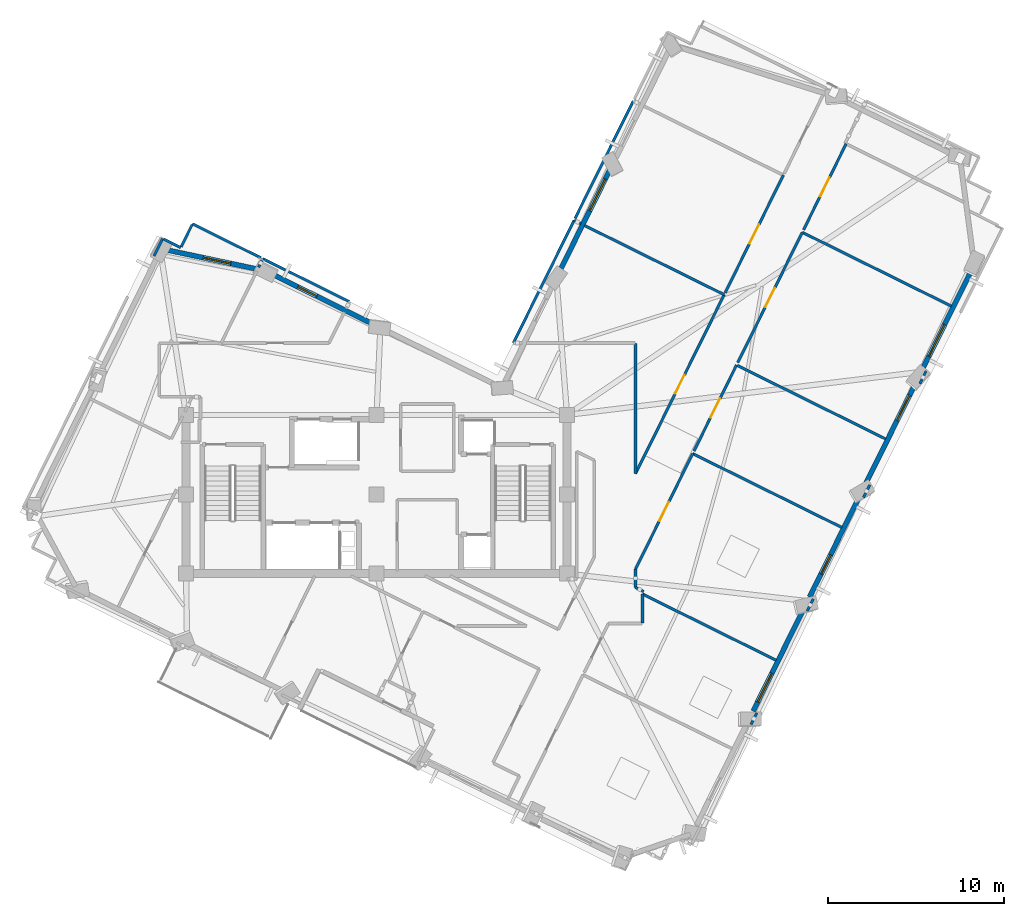
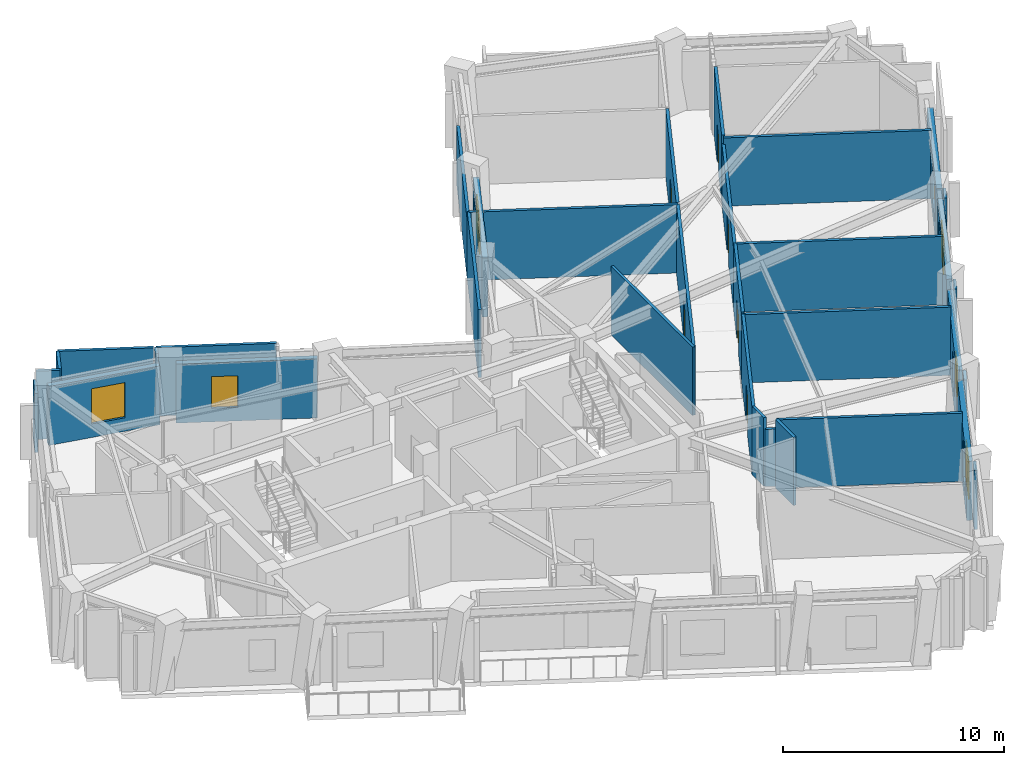
# One storey, part 6 of 11: 35 walls, 7 windows, 6 doors, 13 openings.
"""IFC4 building model written with IfcOpenShell, lengths in metres."""

import ifcopenshell
import ifcopenshell.guid

model = None  # the IFC model being written
_history = None  # IfcOwnerHistory: only IFC2X3 demands one
_inside = {}  # id of a spatial element -> (the spatial element, [elements in it])
_under = {}  # id of a project, library or spatial element -> (it, [spatial elements below it])
_declared = {}  # id of a project -> (the project, [libraries it declares])
_typed = {}  # id of a type object -> (the type object, [elements of that type])
_made_of = {}  # id of a material, layer set ... -> (it, [elements and type objects made of it])


def new_model(schema):
    """Start an empty IFC model of exactly this schema.

    Asked for "IFC4X3", IfcOpenShell would pick the latest addendum, in which some entities
    have other attributes; the version numbers below select the first issue.
    IFC2X3 requires an IfcOwnerHistory on every rooted entity: one is made here for all.
    """
    global model, _history
    if schema == "IFC4X3":
        model = ifcopenshell.file(schema_version=(4, 3, 0, 0))
    else:
        model = ifcopenshell.file(schema=schema)
    _inside.clear()
    _under.clear()
    _declared.clear()
    _typed.clear()
    _made_of.clear()
    _history = None
    if model.schema == "IFC2X3":
        org = make("IfcOrganization", Name="unknown")
        user = make(
            "IfcPersonAndOrganization",
            ThePerson=make("IfcPerson", FamilyName="unknown"),
            TheOrganization=org,
        )
        app = make(
            "IfcApplication",
            ApplicationDeveloper=org,
            Version="unknown",
            ApplicationFullName="unknown",
            ApplicationIdentifier="unknown",
        )
        _history = make(
            "IfcOwnerHistory",
            OwningUser=user,
            OwningApplication=app,
            ChangeAction="ADDED",
            CreationDate=0,
        )
    return model


def make(cls, **values):
    """One entity of the class cls with the attributes given. An attribute that is None is left unset."""
    return model.create_entity(
        cls, **{name: value for name, value in values.items() if value is not None}
    )


def rooted(cls, **values):
    """An entity with a GlobalId (a new one), such as an element, a storey or a relation."""
    return make(cls, GlobalId=ifcopenshell.guid.new(), OwnerHistory=_history, **values)


def si_unit(unit_type, name, prefix=None):
    """IfcSIUnit, for example si_unit("LENGTHUNIT", "METRE", prefix="MILLI")."""
    return make("IfcSIUnit", UnitType=unit_type, Prefix=prefix, Name=name)


def assignment(units):
    """IfcUnitAssignment: the units of a project."""
    return None if units is None else make("IfcUnitAssignment", Units=units)


def point(xyz):
    """IfcCartesianPoint."""
    return None if xyz is None else make("IfcCartesianPoint", Coordinates=xyz)


def direction(xyz):
    """IfcDirection."""
    return None if xyz is None else make("IfcDirection", DirectionRatios=xyz)


def frame(location, z_axis=None, x_axis=None):
    """IfcAxis2Placement3D, a coordinate frame: its origin and axes. An axis left out is left unset."""
    return make(
        "IfcAxis2Placement3D",
        Location=point(location),
        Axis=direction(z_axis),
        RefDirection=direction(x_axis),
    )


def frame_2d(location, x_axis=None):
    """IfcAxis2Placement2D, a coordinate frame in the plane: its origin and x axis."""
    return make(
        "IfcAxis2Placement2D", Location=point(location), RefDirection=direction(x_axis)
    )


def origin():
    """The frame at (0, 0, 0) with its axes left unset."""
    return frame((0.0, 0.0, 0.0))


def place(relative_to, where):
    """IfcLocalPlacement: puts the frame where relative to a parent placement (None: the world)."""
    return make(
        "IfcLocalPlacement", PlacementRelTo=relative_to, RelativePlacement=where
    )


def context(
    kind, dimensions, precision=None, world=None, true_north=None, identifier=None
):
    """IfcGeometricRepresentationContext, for example the 3D "Model" context."""
    return make(
        "IfcGeometricRepresentationContext",
        ContextIdentifier=identifier,
        ContextType=kind,
        CoordinateSpaceDimension=dimensions,
        Precision=precision,
        WorldCoordinateSystem=world,
        TrueNorth=true_north,
    )


def subcontext(parent, identifier, kind, view, scale=None):
    """IfcGeometricRepresentationSubContext, for example "Body" below "Model"."""
    return make(
        "IfcGeometricRepresentationSubContext",
        ContextIdentifier=identifier,
        ContextType=kind,
        ParentContext=parent,
        TargetScale=scale,
        TargetView=view,
    )


def project(units=None, contexts=None):
    """IfcProject with its units and contexts."""
    return rooted(
        "IfcProject",
        Name="project",
        RepresentationContexts=contexts,
        UnitsInContext=assignment(units),
    )


def spatial(cls, under=None, at=None, **own):
    """A site, building, storey or space (cls), placed at a placement, below another one or the project."""
    s = rooted(cls, ObjectPlacement=at, **own)
    if under is not None:
        _under.setdefault(under.id(), (under, []))[1].append(s)
    return s


def profile(cls, at=None, kind="AREA", **sizes):
    """A parametric profile (cls). Its sizes go by their IFC names, for example OverallWidth=200.0."""
    return make(cls, ProfileType=kind, Position=at, **sizes)


def rectangle(**sizes):
    """IfcRectangleProfileDef."""
    return profile("IfcRectangleProfileDef", **sizes)


def extrude(swept, where, along, depth):
    """IfcExtrudedAreaSolid: the profile swept, set in the frame where, extruded along a direction by depth."""
    return make(
        "IfcExtrudedAreaSolid",
        SweptArea=swept,
        Position=where,
        ExtrudedDirection=direction(along),
        Depth=depth,
    )


def shape(context_of_items, identifier, shape_type, items):
    """IfcShapeRepresentation: the items that make up one representation, for example the "Body"."""
    return make(
        "IfcShapeRepresentation",
        ContextOfItems=context_of_items,
        RepresentationIdentifier=identifier,
        RepresentationType=shape_type,
        Items=items,
    )


def material(Name=None, Category=None):
    """IfcMaterial."""
    return make("IfcMaterial", Name=Name, Category=Category)


def layer(
    of_material, thickness, ventilated=None, Name=None, Category=None, Priority=None
):
    """IfcMaterialLayer: one layer of a wall or slab, of a material (None: an air gap)."""
    return make(
        "IfcMaterialLayer",
        Material=of_material,
        LayerThickness=thickness,
        IsVentilated=ventilated,
        Name=Name,
        Category=Category,
        Priority=Priority,
    )


def layer_set(layers, Name=None):
    """IfcMaterialLayerSet."""
    return make("IfcMaterialLayerSet", MaterialLayers=layers, LayerSetName=Name)


def made_of(thing, what):
    """Note that an element or type object is made of a material, layer set ...; save() writes the relation."""
    if what is not None:
        _made_of.setdefault(what.id(), (what, []))[1].append(thing)
    return thing


def type_object(cls, material=None, **own):
    """A type object (cls), such as IfcWallType, which elements share."""
    return made_of(rooted(cls, **own), material)


def element(
    cls,
    number,
    at=None,
    inside=None,
    cuts=None,
    type_object=None,
    material=None,
    context=None,
    identifier="Body",
    shape_type=None,
    held_by="IfcProductDefinitionShape",
    body=None,
    shapes=None,
    **own,
):
    """One element of the class cls, such as IfcWall. Its Tag is "e" and its number.

    at: its placement. inside: the storey or other place that contains it. cuts: it is an
    opening in that element (IfcRelVoidsElement). A single representation is given by context,
    identifier, shape_type and body (its items); several are given by shapes. held_by: the class
    of the entity that holds the representations. save() writes the other relations.
    """
    e = rooted(cls, Tag="e%d" % number, ObjectPlacement=at, **own)
    if body is not None:
        shapes = [shape(context, identifier, shape_type, body)]
    if shapes is not None:
        e.Representation = make(held_by, Representations=shapes)
    if inside is not None:
        _inside.setdefault(inside.id(), (inside, []))[1].append(e)
    if cuts is not None:
        rooted(
            "IfcRelVoidsElement", RelatingBuildingElement=cuts, RelatedOpeningElement=e
        )
    if type_object is not None:
        _typed.setdefault(type_object.id(), (type_object, []))[1].append(e)
    return made_of(e, material)


def fill(opening, filler):
    """IfcRelFillsElement: the door or window that sits in an opening."""
    return rooted(
        "IfcRelFillsElement",
        RelatingOpeningElement=opening,
        RelatedBuildingElement=filler,
    )


def aggregate(whole, parts):
    """IfcRelAggregates: a whole, such as a stair, and the parts it consists of."""
    return rooted("IfcRelAggregates", RelatingObject=whole, RelatedObjects=parts)


def save(model, path):
    """Write the relations noted so far, then the file.

    IfcRelAggregates (storeys below a building ...), IfcRelContainedInSpatialStructure (elements
    in a storey), IfcRelDefinesByType, IfcRelAssociatesMaterial and IfcRelDeclares: one each for
    every whole, place, type object, material and project.
    """
    for whole, parts in _under.values():
        aggregate(whole, parts)
    for where, things in _inside.values():
        rooted(
            "IfcRelContainedInSpatialStructure",
            RelatedElements=things,
            RelatingStructure=where,
        )
    for kind, things in _typed.values():
        rooted("IfcRelDefinesByType", RelatedObjects=things, RelatingType=kind)
    for what, things in _made_of.values():
        rooted("IfcRelAssociatesMaterial", RelatedObjects=things, RelatingMaterial=what)
    for by, libraries in _declared.values():
        rooted("IfcRelDeclares", RelatingContext=by, RelatedDefinitions=libraries)
    model.write(path)


model = new_model("IFC4")

# Units and contexts
model_context = context("Model", 3, precision=1e-05, world=origin(), true_north=direction((0.0, 1.0)))
body_context = subcontext(model_context, "Body", "Model", "MODEL_VIEW")
ifc_project = project(units=[si_unit("LENGTHUNIT", "METRE"), si_unit("AREAUNIT", "SQUARE_METRE"), si_unit("VOLUMEUNIT", "CUBIC_METRE"), si_unit("PLANEANGLEUNIT", "RADIAN"), si_unit("MASSUNIT", "GRAM", prefix="KILO")], contexts=[model_context])

# Site, building, storey
site_placement = place(None, origin())
site = spatial("IfcSite", under=ifc_project, at=site_placement, CompositionType="ELEMENT")
building_placement = place(site_placement, origin())
building = spatial("IfcBuilding", under=site, at=building_placement, Name="Gaonmaruhae Medical Tower", CompositionType="ELEMENT")
storey_placement = place(building_placement, frame((0.0, 0.0, 296.60009765625)))
storey = spatial("IfcBuildingStorey", under=building, at=storey_placement, Name="L71", CompositionType="ELEMENT", Elevation=296.60009765625)

# Wall, opening, window
ifc_material_1 = material(Name="Precast concrete C45/55", Category="concrete")
ifc_layer_1 = layer(ifc_material_1, 0.280029296875)
ifc_layer_set_1 = layer_set([ifc_layer_1], Name="Precast concrete C45/55")
wall_type_1 = type_object("IfcWallType", Name="EW-280 Upper Precast Masonry-Frame Facade Wall", PredefinedType="SOLIDWALL", material=ifc_layer_set_1)
wall_1_placement = place(storey_placement, frame((49.009033203125, 5.780517578125, 0.0), z_axis=(0.0, 0.0, 1.0), x_axis=(-0.443828128094, -0.896111930906, 0.0)))
wall_1 = element("IfcWall", 1, at=wall_1_placement, inside=storey, type_object=wall_type_1, Name="L71 Precast Masonry-Frame Wall S02-S03", PredefinedType="SOLIDWALL", context=body_context, shape_type="SweptSolid", body=[
    extrude(rectangle(XDim=6.438720703125, YDim=0.280029296875, at=frame_2d((3.21923828125, 0.0))), origin(), (0.0, 0.0, 1.0), 3.264892578125),
])
opening_1_placement = place(wall_1_placement, frame((4.0576171875, 0.0, 0.75)))
opening_1 = element("IfcOpeningElement", 2, at=opening_1_placement, cuts=wall_1, Name="Opening WN-04", PredefinedType="OPENING", context=body_context, shape_type="SweptSolid", body=[
    extrude(rectangle(XDim=1.800048828125, YDim=2.050048828125, at=frame_2d((0.89990234375, 1.02490234375))), frame((0.0, 0.14990234375, 0.0), z_axis=(0.0, -1.0, 0.0), x_axis=(1.0, 0.0, 0.0)), (0.0, 0.0, 1.0), 0.300048828125),
])
ifc_material_2 = material(Name="Anodised aluminium and Low-E double glazing", Category="aluminium")
window_type_1 = type_object("IfcWindowType", Name="WN-04 Clinic & Consult Punched Window 1800x2050", PartitioningType="SINGLE_PANEL", PredefinedType="WINDOW", material=ifc_material_2)
window_1_placement = place(opening_1_placement, origin())
window_1 = element("IfcWindow", 3, at=window_1_placement, inside=storey, type_object=window_type_1, Name="L71 Modular Facade Window S02", OverallHeight=2.050048828125, OverallWidth=1.800048828125, PartitioningType="SINGLE_PANEL", PredefinedType="WINDOW", context=body_context, shape_type="SweptSolid", body=[
    extrude(rectangle(XDim=1.800048828125, YDim=2.050048828125, at=frame_2d((0.89990234375, 1.02490234375))), frame((0.0, 0.030029296875, 0.0), z_axis=(0.0, -1.0, 0.0), x_axis=(1.0, 0.0, 0.0)), (0.0, 0.0, 1.0), 0.06005859375),
])
fill(opening_1, window_1)

wall_2_placement = place(storey_placement, frame((52.201171875, 12.224853515625, 0.0), z_axis=(0.0, 0.0, 1.0), x_axis=(-0.443860567831, -0.896095863357, 0.0)))
wall_2 = element("IfcWall", 4, at=wall_2_placement, inside=storey, type_object=wall_type_1, Name="L71 Precast Masonry-Frame Wall S03-S04", PredefinedType="SOLIDWALL", context=body_context, shape_type="SweptSolid", body=[
    extrude(rectangle(XDim=6.41357421875, YDim=0.280029296875, at=frame_2d((3.206787109375, 0.0))), origin(), (0.0, 0.0, 1.0), 3.264892578125),
])
opening_2_placement = place(wall_2_placement, frame((3.74560546875, 0.0, 0.75)))
opening_2 = element("IfcOpeningElement", 5, at=opening_2_placement, cuts=wall_2, Name="Opening WN-05", PredefinedType="OPENING", context=body_context, shape_type="SweptSolid", body=[
    extrude(rectangle(XDim=1.199951171875, YDim=1.75, at=frame_2d((0.60009765625, 0.875))), frame((0.0, 0.14990234375, 0.0), z_axis=(0.0, -1.0, 0.0), x_axis=(1.0, 0.0, 0.0)), (0.0, 0.0, 1.0), 0.300048828125),
])
window_type_2 = type_object("IfcWindowType", Name="WN-05 Support & Staff Punched Window 1200x1750", PartitioningType="SINGLE_PANEL", PredefinedType="WINDOW", material=ifc_material_2)
window_2_placement = place(opening_2_placement, origin())
window_2 = element("IfcWindow", 6, at=window_2_placement, inside=storey, type_object=window_type_2, Name="L71 Modular Facade Window S03", OverallHeight=1.75, OverallWidth=1.199951171875, PartitioningType="SINGLE_PANEL", PredefinedType="WINDOW", context=body_context, shape_type="SweptSolid", body=[
    extrude(rectangle(XDim=1.199951171875, YDim=1.75, at=frame_2d((0.60009765625, 0.875))), frame((0.0, 0.030029296875, 0.0), z_axis=(0.0, -1.0, 0.0), x_axis=(1.0, 0.0, 0.0)), (0.0, 0.0, 1.0), 0.06005859375),
])
fill(opening_2, window_2)

wall_3_placement = place(storey_placement, frame((55.397216796875, 18.677490234375, 0.0), z_axis=(0.0, 0.0, 1.0), x_axis=(-0.443826536777, -0.896112719055, 0.0)))
wall_3 = element("IfcWall", 7, at=wall_3_placement, inside=storey, type_object=wall_type_1, Name="L71 Precast Masonry-Frame Wall S04-S05", PredefinedType="SOLIDWALL", context=body_context, shape_type="SweptSolid", body=[
    extrude(rectangle(XDim=6.40673828125, YDim=0.280029296875, at=frame_2d((3.203369140625, 0.0))), origin(), (0.0, 0.0, 1.0), 3.264892578125),
])
opening_3_placement = place(wall_3_placement, frame((0.852294921875, 0.0, 0.75)))
opening_3 = element("IfcOpeningElement", 8, at=opening_3_placement, cuts=wall_3, Name="Opening WN-01", PredefinedType="OPENING", context=body_context, shape_type="SweptSolid", body=[
    extrude(rectangle(XDim=1.60009765625, YDim=1.949951171875, at=frame_2d((0.800048828125, 0.97509765625))), frame((0.0, 0.14990234375, 0.0), z_axis=(0.0, -1.0, 0.0), x_axis=(1.0, 0.0, 0.0)), (0.0, 0.0, 1.0), 0.300048828125),
])
window_type_3 = type_object("IfcWindowType", Name="WN-01 Ward Punched Acoustic Window 1600x1950", PartitioningType="SINGLE_PANEL", PredefinedType="WINDOW", material=ifc_material_2)
window_3_placement = place(opening_3_placement, origin())
window_3 = element("IfcWindow", 9, at=window_3_placement, inside=storey, type_object=window_type_3, Name="L71 Modular Facade Window S04", OverallHeight=1.949951171875, OverallWidth=1.60009765625, PartitioningType="SINGLE_PANEL", PredefinedType="WINDOW", context=body_context, shape_type="SweptSolid", body=[
    extrude(rectangle(XDim=1.60009765625, YDim=1.949951171875, at=frame_2d((0.800048828125, 0.97509765625))), frame((0.0, 0.030029296875, 0.0), z_axis=(0.0, -1.0, 0.0), x_axis=(1.0, 0.0, 0.0)), (0.0, 0.0, 1.0), 0.06005859375),
])
fill(opening_3, window_3)

wall_4_placement = place(storey_placement, frame((58.597412109375, 25.13818359375, 0.0), z_axis=(0.0, 0.0, 1.0), x_axis=(-0.443863136941, -0.896094590802, 0.0)))
wall_4 = element("IfcWall", 10, at=wall_4_placement, inside=storey, type_object=wall_type_1, Name="L71 Precast Masonry-Frame Wall S05-S06", PredefinedType="SOLIDWALL", context=body_context, shape_type="SweptSolid", body=[
    extrude(rectangle(XDim=6.41845703125, YDim=0.280029296875, at=frame_2d((3.209228515625, 0.0))), origin(), (0.0, 0.0, 1.0), 3.264892578125),
])
opening_4_placement = place(wall_4_placement, frame((3.597900390625, 0.0, 0.75)))
opening_4 = element("IfcOpeningElement", 11, at=opening_4_placement, cuts=wall_4, Name="Opening WN-02", PredefinedType="OPENING", context=body_context, shape_type="SweptSolid", body=[
    extrude(rectangle(XDim=2.0, YDim=1.949951171875, at=frame_2d((1.0, 0.97509765625))), frame((0.0, 0.14990234375, 0.0), z_axis=(0.0, -1.0, 0.0), x_axis=(1.0, 0.0, 0.0)), (0.0, 0.0, 1.0), 0.300048828125),
])
window_type_4 = type_object("IfcWindowType", Name="WN-02 Double-Bed Ward Punched Window 2000x1950", PartitioningType="SINGLE_PANEL", PredefinedType="WINDOW", material=ifc_material_2)
window_4_placement = place(opening_4_placement, origin())
window_4 = element("IfcWindow", 12, at=window_4_placement, inside=storey, type_object=window_type_4, Name="L71 Modular Facade Window S05", OverallHeight=1.949951171875, OverallWidth=2.0, PartitioningType="SINGLE_PANEL", PredefinedType="WINDOW", context=body_context, shape_type="SweptSolid", body=[
    extrude(rectangle(XDim=2.0, YDim=1.949951171875, at=frame_2d((1.0, 0.97509765625))), frame((0.0, 0.030029296875, 0.0), z_axis=(0.0, -1.0, 0.0), x_axis=(1.0, 0.0, 0.0)), (0.0, 0.0, 1.0), 0.06005859375),
])
fill(opening_4, window_4)

wall_5_placement = place(storey_placement, frame((35.168701171875, 24.925537109375, 0.0), z_axis=(0.0, 0.0, 1.0), x_axis=(0.443843130255, 0.89610450045, 0.0)))
wall_5 = element("IfcWall", 13, at=wall_5_placement, inside=storey, type_object=wall_type_1, Name="L71 Precast Masonry-Frame Wall EN01-EN02", PredefinedType="SOLIDWALL", context=body_context, shape_type="SweptSolid", body=[
    extrude(rectangle(XDim=6.409423828125, YDim=0.280029296875, at=frame_2d((3.20458984375, 0.0))), origin(), (0.0, 0.0, 1.0), 3.264892578125),
])
opening_5_placement = place(wall_5_placement, frame((3.855712890625, 0.0, 0.75)))
opening_5 = element("IfcOpeningElement", 14, at=opening_5_placement, cuts=wall_5, Name="Opening WN-02", PredefinedType="OPENING", context=body_context, shape_type="SweptSolid", body=[
    extrude(rectangle(XDim=2.0, YDim=1.949951171875, at=frame_2d((1.0, 0.97509765625))), frame((0.0, 0.14990234375, 0.0), z_axis=(0.0, -1.0, 0.0), x_axis=(1.0, 0.0, 0.0)), (0.0, 0.0, 1.0), 0.300048828125),
])
window_5_placement = place(opening_5_placement, origin())
window_5 = element("IfcWindow", 15, at=window_5_placement, inside=storey, type_object=window_type_4, Name="L71 Modular Facade Window EN01", OverallHeight=1.949951171875, OverallWidth=2.0, PartitioningType="SINGLE_PANEL", PredefinedType="WINDOW", context=body_context, shape_type="SweptSolid", body=[
    extrude(rectangle(XDim=2.0, YDim=1.949951171875, at=frame_2d((1.0, 0.97509765625))), frame((0.0, 0.030029296875, 0.0), z_axis=(0.0, -1.0, 0.0), x_axis=(1.0, 0.0, 0.0)), (0.0, 0.0, 1.0), 0.06005859375),
])
fill(opening_5, window_5)

wall_6_placement = place(storey_placement, frame((18.89697265625, 24.773193359375, 0.0), z_axis=(0.0, 0.0, 1.0), x_axis=(0.896108153049, -0.443835755702, 0.0)))
wall_6 = element("IfcWall", 16, at=wall_6_placement, inside=storey, type_object=wall_type_1, Name="L71 Precast Masonry-Frame Wall NE01-NE02", PredefinedType="SOLIDWALL", context=body_context, shape_type="SweptSolid", body=[
    extrude(rectangle(XDim=6.42431640625, YDim=0.280029296875, at=frame_2d((3.212158203125, 0.0))), origin(), (0.0, 0.0, 1.0), 3.264892578125),
])
opening_6_placement = place(wall_6_placement, frame((1.601318359375, 0.0, 0.75)))
opening_6 = element("IfcOpeningElement", 17, at=opening_6_placement, cuts=wall_6, Name="Opening WN-05", PredefinedType="OPENING", context=body_context, shape_type="SweptSolid", body=[
    extrude(rectangle(XDim=1.199951171875, YDim=1.75, at=frame_2d((0.60009765625, 0.875))), frame((0.0, 0.14990234375, 0.0), z_axis=(0.0, -1.0, 0.0), x_axis=(1.0, 0.0, 0.0)), (0.0, 0.0, 1.0), 0.300048828125),
])
window_6_placement = place(opening_6_placement, origin())
window_6 = element("IfcWindow", 18, at=window_6_placement, inside=storey, type_object=window_type_2, Name="L71 Modular Facade Window NE01", OverallHeight=1.75, OverallWidth=1.199951171875, PartitioningType="SINGLE_PANEL", PredefinedType="WINDOW", context=body_context, shape_type="SweptSolid", body=[
    extrude(rectangle(XDim=1.199951171875, YDim=1.75, at=frame_2d((0.60009765625, 0.875))), frame((0.0, 0.030029296875, 0.0), z_axis=(0.0, -1.0, 0.0), x_axis=(1.0, 0.0, 0.0)), (0.0, 0.0, 1.0), 0.06005859375),
])
fill(opening_6, window_6)

wall_7_placement = place(storey_placement, frame((12.9736328125, 26.1396484375, 0.0), z_axis=(0.0, 0.0, 1.0), x_axis=(0.978261588189, -0.207374697284, 0.0)))
wall_7 = element("IfcWall", 19, at=wall_7_placement, inside=storey, type_object=wall_type_1, Name="L71 Precast Masonry-Frame Wall NE02-N01", PredefinedType="SOLIDWALL", context=body_context, shape_type="SweptSolid", body=[
    extrude(rectangle(XDim=5.302490234375, YDim=0.280029296875, at=frame_2d((2.6513671875, 0.0))), origin(), (0.0, 0.0, 1.0), 3.264892578125),
])
opening_7_placement = place(wall_7_placement, frame((2.03662109375, 0.0, 0.75)))
opening_7 = element("IfcOpeningElement", 20, at=opening_7_placement, cuts=wall_7, Name="Opening WN-01", PredefinedType="OPENING", context=body_context, shape_type="SweptSolid", body=[
    extrude(rectangle(XDim=1.60009765625, YDim=1.949951171875, at=frame_2d((0.800048828125, 0.97509765625))), frame((0.0, 0.14990234375, 0.0), z_axis=(0.0, -1.0, 0.0), x_axis=(1.0, 0.0, 0.0)), (0.0, 0.0, 1.0), 0.300048828125),
])
window_7_placement = place(opening_7_placement, origin())
window_7 = element("IfcWindow", 21, at=window_7_placement, inside=storey, type_object=window_type_3, Name="L71 Modular Facade Window NE02", OverallHeight=1.949951171875, OverallWidth=1.60009765625, PartitioningType="SINGLE_PANEL", PredefinedType="WINDOW", context=body_context, shape_type="SweptSolid", body=[
    extrude(rectangle(XDim=1.60009765625, YDim=1.949951171875, at=frame_2d((0.800048828125, 0.97509765625))), frame((0.0, 0.030029296875, 0.0), z_axis=(0.0, -1.0, 0.0), x_axis=(1.0, 0.0, 0.0)), (0.0, 0.0, 1.0), 0.06005859375),
])
fill(opening_7, window_7)

# Walls
ifc_material_3 = material(Name="Gypsum board partition", Category="gypsum")
ifc_layer_2 = layer(ifc_material_3, 0.14990234375)
ifc_layer_set_2 = layer_set([ifc_layer_2], Name="Gypsum board partition")
wall_type_2 = type_object("IfcWallType", Name="PW-150 Rated Clinical Corridor Partition", PredefinedType="PARTITIONING", material=ifc_layer_set_2)
wall_8_placement = place(storey_placement, frame((39.8798828125, 5.0, 0.0), z_axis=(0.0, 0.0, 1.0), x_axis=(0.0, 1.0, 0.0)))
element("IfcWall", 22, at=wall_8_placement, inside=storey, type_object=wall_type_2, Name="L71 Interior Partition L71-SUP02-16", PredefinedType="PARTITIONING", context=body_context, shape_type="SweptSolid", body=[
    extrude(rectangle(XDim=1.64111328125, YDim=0.14990234375, at=frame_2d((0.820556640625, 0.0))), origin(), (0.0, 0.0, 1.0), 3.77978515625),
])
wall_9_placement = place(storey_placement, frame((39.8798828125, 6.64111328125, 0.0), z_axis=(0.0, 0.0, 1.0), x_axis=(0.896079856491, -0.443892882114, 0.0)))
element("IfcWall", 23, at=wall_9_placement, inside=storey, type_object=wall_type_2, Name="L71 Interior Partition L71-SUP02-17", PredefinedType="PARTITIONING", context=body_context, shape_type="SweptSolid", body=[
    extrude(rectangle(XDim=8.447998046875, YDim=0.14990234375, at=frame_2d((4.22412109375, 0.0))), origin(), (0.0, 0.0, 1.0), 3.77978515625),
])
wall_10_placement = place(storey_placement, frame((46.35693359375, -0.091064453125, 0.0), z_axis=(0.0, 0.0, 1.0), x_axis=(-0.443794006346, -0.896128829986, 0.0)))
element("IfcWall", 24, at=wall_10_placement, inside=storey, type_object=wall_type_2, Name="L71 Interior Partition L71-SUP02-18", PredefinedType="PARTITIONING", context=body_context, shape_type="SweptSolid", body=[
    extrude(rectangle(XDim=0.7431640625, YDim=0.14990234375, at=frame_2d((0.37158203125, 0.0))), origin(), (0.0, 0.0, 1.0), 3.264892578125),
])
wall_11_placement = place(storey_placement, frame((42.722900390625, 14.60595703125, 0.0), z_axis=(0.0, 0.0, 1.0), x_axis=(0.896138758432, -0.443773957817, 0.0)))
element("IfcWall", 25, at=wall_11_placement, inside=storey, type_object=wall_type_2, Name="L71 Interior Partition L71-SUP03-21", PredefinedType="PARTITIONING", context=body_context, shape_type="SweptSolid", body=[
    extrude(rectangle(XDim=9.43505859375, YDim=0.14990234375, at=frame_2d((4.717529296875, 0.0))), origin(), (0.0, 0.0, 1.0), 3.77978515625),
])
wall_12_placement = place(storey_placement, frame((49.56005859375, 6.3759765625, 0.0), z_axis=(0.0, 0.0, 1.0), x_axis=(-0.443568421542, -0.896240512034, 0.0)))
element("IfcWall", 26, at=wall_12_placement, inside=storey, type_object=wall_type_2, Name="L71 Interior Partition L71-SUP03-22", PredefinedType="PARTITIONING", context=body_context, shape_type="SweptSolid", body=[
    extrude(rectangle(XDim=0.77783203125, YDim=0.14990234375, at=frame_2d((0.388916015625, 0.0))), origin(), (0.0, 0.0, 1.0), 3.264892578125),
])
wall_13_placement = place(storey_placement, frame((39.950927734375, 6.784912109375, 0.0), z_axis=(0.0, 0.0, 1.0), x_axis=(-0.896185647089, 0.443679260223, 0.0)))
element("IfcWall", 27, at=wall_13_placement, inside=storey, type_object=wall_type_2, Name="L71 Interior Partition L71-SUP03-23", PredefinedType="PARTITIONING", context=body_context, shape_type="SweptSolid", body=[
    extrude(rectangle(XDim=0.525390625, YDim=0.14990234375, at=frame_2d((0.2626953125, 0.0))), origin(), (0.0, 0.0, 1.0), 3.164794921875),
])
wall_14_placement = place(storey_placement, frame((39.47998046875, 7.01806640625, 0.0), z_axis=(0.0, 0.0, 1.0), x_axis=(0.0, 1.0, 0.0)))
element("IfcWall", 28, at=wall_14_placement, inside=storey, type_object=wall_type_2, Name="L71 Interior Partition L71-SUP03-24", PredefinedType="PARTITIONING", context=body_context, shape_type="SweptSolid", body=[
    extrude(rectangle(XDim=1.0400390625, YDim=0.14990234375, at=frame_2d((0.52001953125, 0.0))), origin(), (0.0, 0.0, 1.0), 3.77978515625),
])

# Wall, opening, door
wall_15_placement = place(storey_placement, frame((39.47998046875, 8.05810546875, 0.0), z_axis=(0.0, 0.0, 1.0), x_axis=(0.443815683985, 0.896118094142, 0.0)))
wall_15 = element("IfcWall", 29, at=wall_15_placement, inside=storey, type_object=wall_type_2, Name="L71 Interior Partition L71-SUP03-25", PredefinedType="PARTITIONING", context=body_context, shape_type="SweptSolid", body=[
    extrude(rectangle(XDim=7.306884765625, YDim=0.14990234375, at=frame_2d((3.6533203125, 0.0))), origin(), (0.0, 0.0, 1.0), 3.77978515625),
])
opening_8_placement = place(wall_15_placement, frame((3.053466796875, 0.0, 0.0)))
opening_8 = element("IfcOpeningElement", 30, at=opening_8_placement, cuts=wall_15, Name="Opening CD-02", PredefinedType="OPENING", context=body_context, shape_type="SweptSolid", body=[
    extrude(rectangle(XDim=1.199951171875, YDim=2.14990234375, at=frame_2d((0.60009765625, 1.074951171875))), frame((0.0, 0.0849609375, 0.0), z_axis=(0.0, -1.0, 0.0), x_axis=(1.0, 0.0, 0.0)), (0.0, 0.0, 1.0), 0.169921875),
])
ifc_material_4 = material(Name="Antimicrobial laminate timber fire door", Category="wood")
door_type = type_object("IfcDoorType", Name="CD-02 Clinical Treatment & Procedure Door 1200x2150", OperationType="NOTDEFINED", PredefinedType="DOOR", material=ifc_material_4)
door_1_placement = place(opening_8_placement, origin())
door_1 = element("IfcDoor", 31, at=door_1_placement, inside=storey, type_object=door_type, Name="L71 Clinical Biomedical Charting Office Door", OperationType="SINGLE_SWING_LEFT", OverallHeight=2.14990234375, OverallWidth=1.199951171875, PredefinedType="DOOR", context=body_context, shape_type="SweptSolid", body=[
    extrude(rectangle(XDim=1.199951171875, YDim=2.14990234375, at=frame_2d((0.60009765625, 1.074951171875))), frame((0.0, 0.02490234375, 0.0), z_axis=(0.0, -1.0, 0.0), x_axis=(1.0, 0.0, 0.0)), (0.0, 0.0, 1.0), 0.050048828125),
])
fill(opening_8, door_1)

wall_16_placement = place(storey_placement, frame((42.7939453125, 14.75, 0.0), z_axis=(0.0, 0.0, 1.0), x_axis=(0.443907715055, 0.896072508514, 0.0)))
wall_16 = element("IfcWall", 32, at=wall_16_placement, inside=storey, type_object=wall_type_2, Name="L71 Interior Partition L71-SUP04-26", PredefinedType="PARTITIONING", context=body_context, shape_type="SweptSolid", body=[
    extrude(rectangle(XDim=5.4404296875, YDim=0.14990234375, at=frame_2d((2.72021484375, 0.0))), origin(), (0.0, 0.0, 1.0), 3.77978515625),
])
opening_9_placement = place(wall_16_placement, frame((2.1201171875, 0.0, 0.0)))
opening_9 = element("IfcOpeningElement", 33, at=opening_9_placement, cuts=wall_16, Name="Opening CD-02", PredefinedType="OPENING", context=body_context, shape_type="SweptSolid", body=[
    extrude(rectangle(XDim=1.199951171875, YDim=2.14990234375, at=frame_2d((0.60009765625, 1.074951171875))), frame((0.0, 0.0849609375, 0.0), z_axis=(0.0, -1.0, 0.0), x_axis=(1.0, 0.0, 0.0)), (0.0, 0.0, 1.0), 0.169921875),
])
door_2_placement = place(opening_9_placement, origin())
door_2 = element("IfcDoor", 34, at=door_2_placement, inside=storey, type_object=door_type, Name="L71 Clinical Biomedical Charting Office Door", OperationType="SINGLE_SWING_LEFT", OverallHeight=2.14990234375, OverallWidth=1.199951171875, PredefinedType="DOOR", context=body_context, shape_type="SweptSolid", body=[
    extrude(rectangle(XDim=1.199951171875, YDim=2.14990234375, at=frame_2d((0.60009765625, 1.074951171875))), frame((0.0, 0.02490234375, 0.0), z_axis=(0.0, -1.0, 0.0), x_axis=(1.0, 0.0, 0.0)), (0.0, 0.0, 1.0), 0.050048828125),
])
fill(opening_9, door_2)

# Walls
wall_17_placement = place(storey_placement, frame((45.25390625, 19.60302734375, 0.0), z_axis=(0.0, 0.0, 1.0), x_axis=(0.896085806874, -0.443880869963, 0.0)))
element("IfcWall", 35, at=wall_17_placement, inside=storey, type_object=wall_type_2, Name="L71 Interior Partition L71-SUP04-27", PredefinedType="PARTITIONING", context=body_context, shape_type="SweptSolid", body=[
    extrude(rectangle(XDim=9.385498046875, YDim=0.14990234375, at=frame_2d((4.69287109375, 0.0))), origin(), (0.0, 0.0, 1.0), 3.77978515625),
])
wall_18_placement = place(storey_placement, frame((52.760009765625, 12.833984375, 0.0), z_axis=(0.0, 0.0, 1.0), x_axis=(-0.444751315026, -0.895654100522, 0.0)))
element("IfcWall", 36, at=wall_18_placement, inside=storey, type_object=wall_type_2, Name="L71 Interior Partition L71-SUP04-28", PredefinedType="PARTITIONING", context=body_context, shape_type="SweptSolid", body=[
    extrude(rectangle(XDim=0.793701171875, YDim=0.14990234375, at=frame_2d((0.39697265625, 0.0))), origin(), (0.0, 0.0, 1.0), 3.264892578125),
])

# Wall, opening, door
wall_19_placement = place(storey_placement, frame((45.280029296875, 19.76806640625, 0.0), z_axis=(0.0, 0.0, 1.0), x_axis=(0.443808981741, 0.896121413496, 0.0)))
wall_19 = element("IfcWall", 37, at=wall_19_placement, inside=storey, type_object=wall_type_2, Name="L71 Interior Partition L71-SUP05-29", PredefinedType="PARTITIONING", context=body_context, shape_type="SweptSolid", body=[
    extrude(rectangle(XDim=8.239990234375, YDim=0.14990234375, at=frame_2d((4.1201171875, 0.0))), origin(), (0.0, 0.0, 1.0), 3.414794921875),
])
opening_10_placement = place(wall_19_placement, frame((3.52001953125, 0.0, 0.0)))
opening_10 = element("IfcOpeningElement", 38, at=opening_10_placement, cuts=wall_19, Name="Opening CD-02", PredefinedType="OPENING", context=body_context, shape_type="SweptSolid", body=[
    extrude(rectangle(XDim=1.199951171875, YDim=2.14990234375, at=frame_2d((0.60009765625, 1.074951171875))), frame((0.0, 0.0849609375, 0.0), z_axis=(0.0, -1.0, 0.0), x_axis=(1.0, 0.0, 0.0)), (0.0, 0.0, 1.0), 0.169921875),
])
door_3_placement = place(opening_10_placement, origin())
door_3 = element("IfcDoor", 39, at=door_3_placement, inside=storey, type_object=door_type, Name="L71 Clinical Biomedical Charting Office Door", OperationType="SINGLE_SWING_RIGHT", OverallHeight=2.14990234375, OverallWidth=1.199951171875, PredefinedType="DOOR", context=body_context, shape_type="SweptSolid", body=[
    extrude(rectangle(XDim=1.199951171875, YDim=2.14990234375, at=frame_2d((0.60009765625, 1.074951171875))), frame((0.0, 0.02490234375, 0.0), z_axis=(0.0, -1.0, 0.0), x_axis=(1.0, 0.0, 0.0)), (0.0, 0.0, 1.0), 0.050048828125),
])
fill(opening_10, door_3)

# Walls
wall_20_placement = place(storey_placement, frame((48.93701171875, 27.152099609375, 0.0), z_axis=(0.0, 0.0, 1.0), x_axis=(0.896097594631, -0.4438570726, 0.0)))
element("IfcWall", 40, at=wall_20_placement, inside=storey, type_object=wall_type_2, Name="L71 Interior Partition L71-SUP05-30", PredefinedType="PARTITIONING", context=body_context, shape_type="SweptSolid", body=[
    extrude(rectangle(XDim=9.435546875, YDim=0.14990234375, at=frame_2d((4.7177734375, 0.0))), origin(), (0.0, 0.0, 1.0), 3.77978515625),
])
wall_21_placement = place(storey_placement, frame((55.955078125, 19.284912109375, 0.0), z_axis=(0.0, 0.0, 1.0), x_axis=(-0.444253567851, -0.895901092449, 0.0)))
element("IfcWall", 41, at=wall_21_placement, inside=storey, type_object=wall_type_2, Name="L71 Interior Partition L71-SUP05-31", PredefinedType="PARTITIONING", context=body_context, shape_type="SweptSolid", body=[
    extrude(rectangle(XDim=0.79248046875, YDim=0.14990234375, at=frame_2d((0.396240234375, 0.0))), origin(), (0.0, 0.0, 1.0), 3.264892578125),
])

# Wall, opening, door
wall_22_placement = place(storey_placement, frame((49.008056640625, 27.294921875, 0.0), z_axis=(0.0, 0.0, 1.0), x_axis=(0.443907715055, 0.896072508514, 0.0)))
wall_22 = element("IfcWall", 42, at=wall_22_placement, inside=storey, type_object=wall_type_2, Name="L71 Interior Partition L71-SUP06-33", PredefinedType="PARTITIONING", context=body_context, shape_type="SweptSolid", body=[
    extrude(rectangle(XDim=5.4404296875, YDim=0.14990234375, at=frame_2d((2.72021484375, 0.0))), origin(), (0.0, 0.0, 1.0), 3.77978515625),
])
opening_11_placement = place(wall_22_placement, frame((2.1201171875, 0.0, 0.0)))
opening_11 = element("IfcOpeningElement", 43, at=opening_11_placement, cuts=wall_22, Name="Opening CD-02", PredefinedType="OPENING", context=body_context, shape_type="SweptSolid", body=[
    extrude(rectangle(XDim=1.199951171875, YDim=2.14990234375, at=frame_2d((0.60009765625, 1.074951171875))), frame((0.0, 0.0849609375, 0.0), z_axis=(0.0, -1.0, 0.0), x_axis=(1.0, 0.0, 0.0)), (0.0, 0.0, 1.0), 0.169921875),
])
door_4_placement = place(opening_11_placement, origin())
door_4 = element("IfcDoor", 44, at=door_4_placement, inside=storey, type_object=door_type, Name="L71 Clinical Biomedical Charting Office Door", OperationType="SINGLE_SWING_RIGHT", OverallHeight=2.14990234375, OverallWidth=1.199951171875, PredefinedType="DOOR", context=body_context, shape_type="SweptSolid", body=[
    extrude(rectangle(XDim=1.199951171875, YDim=2.14990234375, at=frame_2d((0.60009765625, 1.074951171875))), frame((0.0, 0.02490234375, 0.0), z_axis=(0.0, -1.0, 0.0), x_axis=(1.0, 0.0, 0.0)), (0.0, 0.0, 1.0), 0.050048828125),
])
fill(opening_11, door_4)

# Walls
wall_23_placement = place(storey_placement, frame((32.551025390625, 20.8798828125, 0.0), z_axis=(0.0, 0.0, 1.0), x_axis=(0.44386363657, 0.896094343321, 0.0)))
element("IfcWall", 45, at=wall_23_placement, inside=storey, type_object=wall_type_2, Name="L71 Interior Partition L71-IE02-66", PredefinedType="PARTITIONING", context=body_context, shape_type="SweptSolid", body=[
    extrude(rectangle(XDim=7.761474609375, YDim=0.14990234375, at=frame_2d((3.880859375, 0.0))), origin(), (0.0, 0.0, 1.0), 3.77978515625),
])
wall_24_placement = place(storey_placement, frame((35.99609375, 27.8349609375, 0.0), z_axis=(0.0, 0.0, 1.0), x_axis=(0.896327321875, -0.443392977008, 0.0)))
element("IfcWall", 46, at=wall_24_placement, inside=storey, type_object=wall_type_2, Name="L71 Interior Partition L71-IE02-67", PredefinedType="PARTITIONING", context=body_context, shape_type="SweptSolid", body=[
    extrude(rectangle(XDim=0.43505859375, YDim=0.14990234375, at=frame_2d((0.217529296875, 0.0))), origin(), (0.0, 0.0, 1.0), 3.77978515625),
])
wall_25_placement = place(storey_placement, frame((36.592041015625, 27.5400390625, 0.0), z_axis=(0.0, 0.0, 1.0), x_axis=(0.89606802556, -0.443916764235, 0.0)))
element("IfcWall", 47, at=wall_25_placement, inside=storey, type_object=wall_type_2, Name="L71 Interior Partition L71-IE02-68", PredefinedType="PARTITIONING", context=body_context, shape_type="SweptSolid", body=[
    extrude(rectangle(XDim=8.835205078125, YDim=0.14990234375, at=frame_2d((4.41748046875, 0.0))), origin(), (0.0, 0.0, 1.0), 3.77978515625),
])

# Wall, opening, door
wall_26_placement = place(storey_placement, frame((44.509033203125, 23.617919921875, 0.0), z_axis=(0.0, 0.0, 1.0), x_axis=(-0.443866227597, -0.896093059899, 0.0)))
wall_26 = element("IfcWall", 48, at=wall_26_placement, inside=storey, type_object=wall_type_2, Name="L71 Interior Partition L71-IE02-69", PredefinedType="PARTITIONING", context=body_context, shape_type="SweptSolid", body=[
    extrude(rectangle(XDim=11.330078125, YDim=0.14990234375, at=frame_2d((5.6650390625, 0.0))), origin(), (0.0, 0.0, 1.0), 3.77978515625),
])
opening_12_placement = place(wall_26_placement, frame((5.065185546875, 0.0, 0.0)))
opening_12 = element("IfcOpeningElement", 49, at=opening_12_placement, cuts=wall_26, Name="Opening CD-02", PredefinedType="OPENING", context=body_context, shape_type="SweptSolid", body=[
    extrude(rectangle(XDim=1.199951171875, YDim=2.14990234375, at=frame_2d((0.60009765625, 1.074951171875))), frame((0.0, 0.0849609375, 0.0), z_axis=(0.0, -1.0, 0.0), x_axis=(1.0, 0.0, 0.0)), (0.0, 0.0, 1.0), 0.169921875),
])
door_5_placement = place(opening_12_placement, origin())
door_5 = element("IfcDoor", 50, at=door_5_placement, inside=storey, type_object=door_type, Name="L71 Acute Treatment Examination Room Door", OperationType="SINGLE_SWING_LEFT", OverallHeight=2.14990234375, OverallWidth=1.199951171875, PredefinedType="DOOR", context=body_context, shape_type="SweptSolid", body=[
    extrude(rectangle(XDim=1.199951171875, YDim=2.14990234375, at=frame_2d((0.60009765625, 1.074951171875))), frame((0.0, 0.02490234375, 0.0), z_axis=(0.0, -1.0, 0.0), x_axis=(1.0, 0.0, 0.0)), (0.0, 0.0, 1.0), 0.050048828125),
])
fill(opening_12, door_5)

# Wall
wall_27_placement = place(storey_placement, frame((39.47998046875, 13.465087890625, 0.0), z_axis=(0.0, 0.0, 1.0), x_axis=(-0.000132078586, 0.999999991278, 0.0)))
element("IfcWall", 51, at=wall_27_placement, inside=storey, type_object=wall_type_2, Name="L71 Interior Partition L71-IE02-70", PredefinedType="PARTITIONING", context=body_context, shape_type="SweptSolid", body=[
    extrude(rectangle(XDim=7.393798828125, YDim=0.14990234375, at=frame_2d((3.69677734375, 0.0))), origin(), (0.0, 0.0, 1.0), 3.77978515625),
])

# Wall, opening, door
wall_28_placement = place(storey_placement, frame((47.864013671875, 30.39208984375, 0.0), z_axis=(0.0, 0.0, 1.0), x_axis=(-0.443876084137, -0.896088177543, 0.0)))
wall_28 = element("IfcWall", 52, at=wall_28_placement, inside=storey, type_object=wall_type_2, Name="L71 Interior Partition L71-IE03-71", PredefinedType="PARTITIONING", context=body_context, shape_type="SweptSolid", body=[
    extrude(rectangle(XDim=7.43896484375, YDim=0.14990234375, at=frame_2d((3.719482421875, 0.0))), origin(), (0.0, 0.0, 1.0), 3.77978515625),
])
opening_13_placement = place(wall_28_placement, frame((3.119384765625, 0.0, 0.0)))
opening_13 = element("IfcOpeningElement", 53, at=opening_13_placement, cuts=wall_28, Name="Opening CD-02", PredefinedType="OPENING", context=body_context, shape_type="SweptSolid", body=[
    extrude(rectangle(XDim=1.199951171875, YDim=2.14990234375, at=frame_2d((0.60009765625, 1.074951171875))), frame((0.0, 0.0849609375, 0.0), z_axis=(0.0, -1.0, 0.0), x_axis=(1.0, 0.0, 0.0)), (0.0, 0.0, 1.0), 0.169921875),
])
door_6_placement = place(opening_13_placement, origin())
door_6 = element("IfcDoor", 54, at=door_6_placement, inside=storey, type_object=door_type, Name="L71 Clean Medication Preparation Room Door", OperationType="SINGLE_SWING_LEFT", OverallHeight=2.14990234375, OverallWidth=1.199951171875, PredefinedType="DOOR", context=body_context, shape_type="SweptSolid", body=[
    extrude(rectangle(XDim=1.199951171875, YDim=2.14990234375, at=frame_2d((0.60009765625, 1.074951171875))), frame((0.0, 0.02490234375, 0.0), z_axis=(0.0, -1.0, 0.0), x_axis=(1.0, 0.0, 0.0)), (0.0, 0.0, 1.0), 0.050048828125),
])
fill(opening_13, door_6)

# Walls
wall_29_placement = place(storey_placement, frame((36.049072265625, 27.943115234375, 0.0), z_axis=(0.0, 0.0, 1.0), x_axis=(0.443889138274, 0.896081711075, 0.0)))
element("IfcWall", 55, at=wall_29_placement, inside=storey, type_object=wall_type_2, Name="L71 Interior Partition L71-IE03-72", PredefinedType="PARTITIONING", context=body_context, shape_type="SweptSolid", body=[
    extrude(rectangle(XDim=7.438720703125, YDim=0.14990234375, at=frame_2d((3.71923828125, 0.0))), origin(), (0.0, 0.0, 1.0), 3.264892578125),
])
wall_30_placement = place(storey_placement, frame((18.114013671875, 25.16796875, 0.0), z_axis=(0.0, 0.0, 1.0), x_axis=(0.444877698977, 0.895591331442, 0.0)))
element("IfcWall", 56, at=wall_30_placement, inside=storey, type_object=wall_type_2, Name="L71 Interior Partition L71-IN02-81", PredefinedType="PARTITIONING", context=body_context, shape_type="SweptSolid", body=[
    extrude(rectangle(XDim=0.5439453125, YDim=0.14990234375, at=frame_2d((0.27197265625, 0.0))), origin(), (0.0, 0.0, 1.0), 3.77978515625),
])
wall_31_placement = place(storey_placement, frame((18.35595703125, 25.655029296875, 0.0), z_axis=(0.0, 0.0, 1.0), x_axis=(0.896096194599, -0.443859899095, 0.0)))
element("IfcWall", 57, at=wall_31_placement, inside=storey, type_object=wall_type_2, Name="L71 Interior Partition L71-IN02-82", PredefinedType="PARTITIONING", context=body_context, shape_type="SweptSolid", body=[
    extrude(rectangle(XDim=5.4794921875, YDim=0.14990234375, at=frame_2d((2.73974609375, 0.0))), origin(), (0.0, 0.0, 1.0), 3.77978515625),
])
wall_32_placement = place(storey_placement, frame((14.35888671875, 27.635009765625, 0.0), z_axis=(0.0, 0.0, 1.0), x_axis=(0.896041284566, -0.443970738172, 0.0)))
element("IfcWall", 58, at=wall_32_placement, inside=storey, type_object=wall_type_2, Name="L71 Interior Partition L71-IN03-86", PredefinedType="PARTITIONING", context=body_context, shape_type="SweptSolid", body=[
    extrude(rectangle(XDim=4.34033203125, YDim=0.14990234375, at=frame_2d((2.170166015625, 0.0))), origin(), (0.0, 0.0, 1.0), 3.77978515625),
])
wall_33_placement = place(storey_placement, frame((12.18310546875, 25.80908203125, 0.0), z_axis=(0.0, 0.0, 1.0), x_axis=(0.44357801669, 0.896235763128, 0.0)))
element("IfcWall", 59, at=wall_33_placement, inside=storey, type_object=wall_type_2, Name="L71 Interior Partition L71-IN03-94", PredefinedType="PARTITIONING", context=body_context, shape_type="SweptSolid", body=[
    extrude(rectangle(XDim=1.1025390625, YDim=0.14990234375, at=frame_2d((0.55126953125, 0.0))), origin(), (0.0, 0.0, 1.0), 3.264892578125),
])
wall_34_placement = place(storey_placement, frame((12.717041015625, 26.77490234375, 0.0), z_axis=(0.0, 0.0, 1.0), x_axis=(0.895945868345, -0.444163259395, 0.0)))
element("IfcWall", 60, at=wall_34_placement, inside=storey, type_object=wall_type_2, Name="L71 Interior Partition L71-IN03-95", PredefinedType="PARTITIONING", context=body_context, shape_type="SweptSolid", body=[
    extrude(rectangle(XDim=1.08935546875, YDim=0.14990234375, at=frame_2d((0.544677734375, 0.0))), origin(), (0.0, 0.0, 1.0), 3.77978515625),
])
wall_35_placement = place(storey_placement, frame((13.715087890625, 26.3359375, 0.0), z_axis=(0.0, 0.0, 1.0), x_axis=(0.444211302354, 0.895922049545, 0.0)))
element("IfcWall", 61, at=wall_35_placement, inside=storey, type_object=wall_type_2, Name="L71 Interior Partition L71-IN03-96", PredefinedType="PARTITIONING", context=body_context, shape_type="SweptSolid", body=[
    extrude(rectangle(XDim=1.39990234375, YDim=0.14990234375, at=frame_2d((0.699951171875, 0.0))), origin(), (0.0, 0.0, 1.0), 3.77978515625),
])

save(model, "model.ifc")
